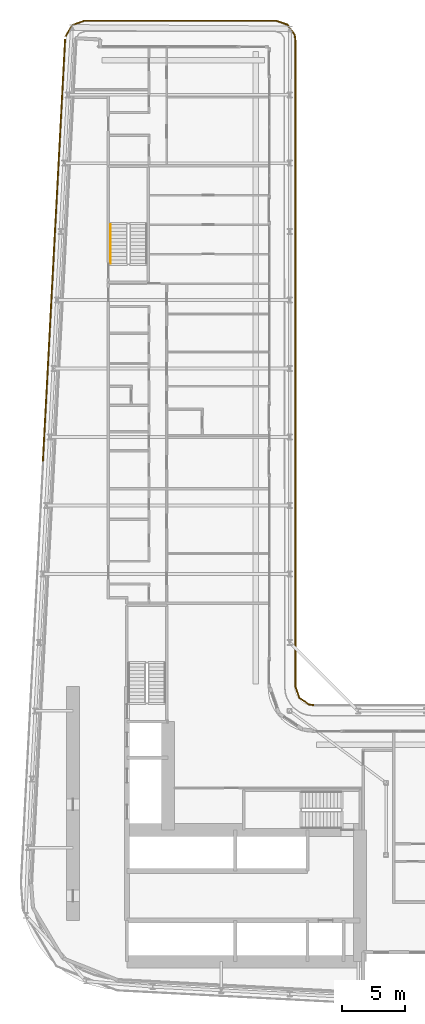
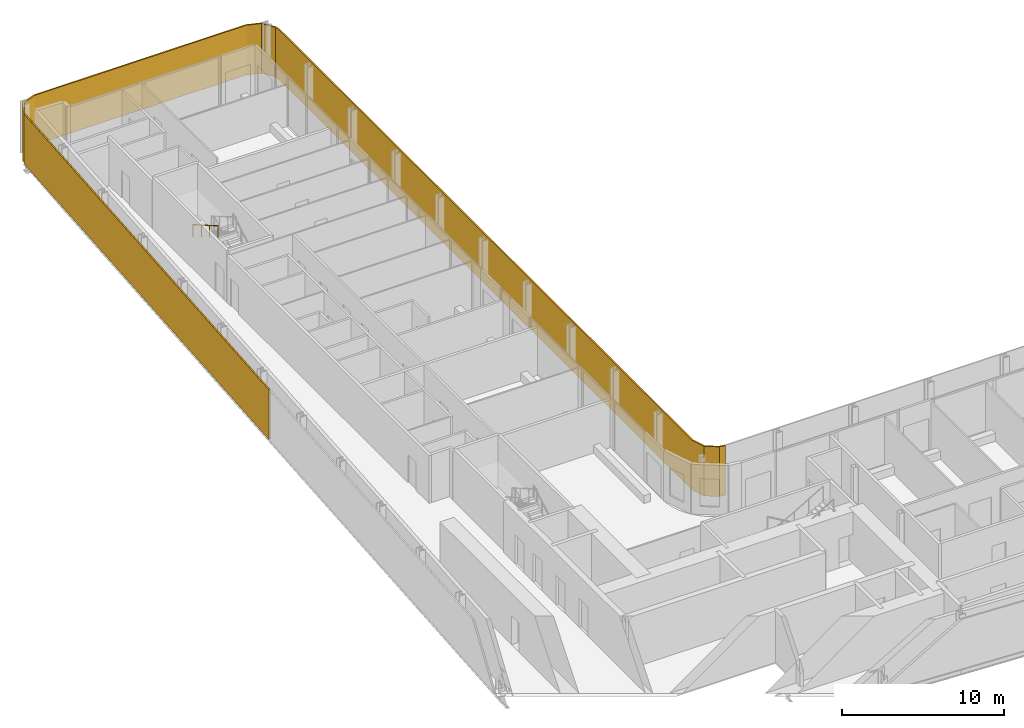
# One storey, part 25 of 27: 2 shading devices, 1 railing.
"""IFC4 building model written with IfcOpenShell, lengths in metres."""

import ifcopenshell
import ifcopenshell.guid

model = None  # the IFC model being written
_history = None  # IfcOwnerHistory: only IFC2X3 demands one
_inside = {}  # id of a spatial element -> (the spatial element, [elements in it])
_under = {}  # id of a project, library or spatial element -> (it, [spatial elements below it])
_declared = {}  # id of a project -> (the project, [libraries it declares])
_typed = {}  # id of a type object -> (the type object, [elements of that type])
_made_of = {}  # id of a material, layer set ... -> (it, [elements and type objects made of it])


def new_model(schema):
    """Start an empty IFC model of exactly this schema.

    Asked for "IFC4X3", IfcOpenShell would pick the latest addendum, in which some entities
    have other attributes; the version numbers below select the first issue.
    IFC2X3 requires an IfcOwnerHistory on every rooted entity: one is made here for all.
    """
    global model, _history
    if schema == "IFC4X3":
        model = ifcopenshell.file(schema_version=(4, 3, 0, 0))
    else:
        model = ifcopenshell.file(schema=schema)
    _inside.clear()
    _under.clear()
    _declared.clear()
    _typed.clear()
    _made_of.clear()
    _history = None
    if model.schema == "IFC2X3":
        org = make("IfcOrganization", Name="unknown")
        user = make(
            "IfcPersonAndOrganization",
            ThePerson=make("IfcPerson", FamilyName="unknown"),
            TheOrganization=org,
        )
        app = make(
            "IfcApplication",
            ApplicationDeveloper=org,
            Version="unknown",
            ApplicationFullName="unknown",
            ApplicationIdentifier="unknown",
        )
        _history = make(
            "IfcOwnerHistory",
            OwningUser=user,
            OwningApplication=app,
            ChangeAction="ADDED",
            CreationDate=0,
        )
    return model


def make(cls, **values):
    """One entity of the class cls with the attributes given. An attribute that is None is left unset."""
    return model.create_entity(
        cls, **{name: value for name, value in values.items() if value is not None}
    )


def rooted(cls, **values):
    """An entity with a GlobalId (a new one), such as an element, a storey or a relation."""
    return make(cls, GlobalId=ifcopenshell.guid.new(), OwnerHistory=_history, **values)


def si_unit(unit_type, name, prefix=None):
    """IfcSIUnit, for example si_unit("LENGTHUNIT", "METRE", prefix="MILLI")."""
    return make("IfcSIUnit", UnitType=unit_type, Prefix=prefix, Name=name)


def assignment(units):
    """IfcUnitAssignment: the units of a project."""
    return None if units is None else make("IfcUnitAssignment", Units=units)


def point(xyz):
    """IfcCartesianPoint."""
    return None if xyz is None else make("IfcCartesianPoint", Coordinates=xyz)


def direction(xyz):
    """IfcDirection."""
    return None if xyz is None else make("IfcDirection", DirectionRatios=xyz)


def frame(location, z_axis=None, x_axis=None):
    """IfcAxis2Placement3D, a coordinate frame: its origin and axes. An axis left out is left unset."""
    return make(
        "IfcAxis2Placement3D",
        Location=point(location),
        Axis=direction(z_axis),
        RefDirection=direction(x_axis),
    )


def frame_2d(location, x_axis=None):
    """IfcAxis2Placement2D, a coordinate frame in the plane: its origin and x axis."""
    return make(
        "IfcAxis2Placement2D", Location=point(location), RefDirection=direction(x_axis)
    )


def origin():
    """The frame at (0, 0, 0) with its axes left unset."""
    return frame((0.0, 0.0, 0.0))


def origin_2d():
    """The frame at (0, 0) in the plane with its x axis left unset."""
    return frame_2d((0.0, 0.0))


def place(relative_to, where):
    """IfcLocalPlacement: puts the frame where relative to a parent placement (None: the world)."""
    return make(
        "IfcLocalPlacement", PlacementRelTo=relative_to, RelativePlacement=where
    )


def context(
    kind, dimensions, precision=None, world=None, true_north=None, identifier=None
):
    """IfcGeometricRepresentationContext, for example the 3D "Model" context."""
    return make(
        "IfcGeometricRepresentationContext",
        ContextIdentifier=identifier,
        ContextType=kind,
        CoordinateSpaceDimension=dimensions,
        Precision=precision,
        WorldCoordinateSystem=world,
        TrueNorth=true_north,
    )


def subcontext(parent, identifier, kind, view, scale=None):
    """IfcGeometricRepresentationSubContext, for example "Body" below "Model"."""
    return make(
        "IfcGeometricRepresentationSubContext",
        ContextIdentifier=identifier,
        ContextType=kind,
        ParentContext=parent,
        TargetScale=scale,
        TargetView=view,
    )


def project(units=None, contexts=None):
    """IfcProject with its units and contexts."""
    return rooted(
        "IfcProject",
        Name="project",
        RepresentationContexts=contexts,
        UnitsInContext=assignment(units),
    )


def spatial(cls, under=None, at=None, **own):
    """A site, building, storey or space (cls), placed at a placement, below another one or the project."""
    s = rooted(cls, ObjectPlacement=at, **own)
    if under is not None:
        _under.setdefault(under.id(), (under, []))[1].append(s)
    return s


def polyline(points):
    """IfcPolyline through the points."""
    return make("IfcPolyline", Points=[point(p) for p in points])


def profile(cls, at=None, kind="AREA", **sizes):
    """A parametric profile (cls). Its sizes go by their IFC names, for example OverallWidth=200.0."""
    return make(cls, ProfileType=kind, Position=at, **sizes)


def rectangle(**sizes):
    """IfcRectangleProfileDef."""
    return profile("IfcRectangleProfileDef", **sizes)


def circle(**sizes):
    """IfcCircleProfileDef."""
    return profile("IfcCircleProfileDef", **sizes)


def outline(outer, holes=None, kind="AREA"):
    """IfcArbitraryClosedProfileDef: a profile drawn as a closed curve; with holes, ...WithVoids."""
    if holes is None:
        return make("IfcArbitraryClosedProfileDef", ProfileType=kind, OuterCurve=outer)
    return make(
        "IfcArbitraryProfileDefWithVoids",
        ProfileType=kind,
        OuterCurve=outer,
        InnerCurves=holes,
    )


def extrude(swept, where, along, depth):
    """IfcExtrudedAreaSolid: the profile swept, set in the frame where, extruded along a direction by depth."""
    return make(
        "IfcExtrudedAreaSolid",
        SweptArea=swept,
        Position=where,
        ExtrudedDirection=direction(along),
        Depth=depth,
    )


def shape(context_of_items, identifier, shape_type, items):
    """IfcShapeRepresentation: the items that make up one representation, for example the "Body"."""
    return make(
        "IfcShapeRepresentation",
        ContextOfItems=context_of_items,
        RepresentationIdentifier=identifier,
        RepresentationType=shape_type,
        Items=items,
    )


def material(Name=None, Category=None):
    """IfcMaterial."""
    return make("IfcMaterial", Name=Name, Category=Category)


def layer(
    of_material, thickness, ventilated=None, Name=None, Category=None, Priority=None
):
    """IfcMaterialLayer: one layer of a wall or slab, of a material (None: an air gap)."""
    return make(
        "IfcMaterialLayer",
        Material=of_material,
        LayerThickness=thickness,
        IsVentilated=ventilated,
        Name=Name,
        Category=Category,
        Priority=Priority,
    )


def layer_set(layers, Name=None):
    """IfcMaterialLayerSet."""
    return make("IfcMaterialLayerSet", MaterialLayers=layers, LayerSetName=Name)


def made_of(thing, what):
    """Note that an element or type object is made of a material, layer set ...; save() writes the relation."""
    if what is not None:
        _made_of.setdefault(what.id(), (what, []))[1].append(thing)
    return thing


def type_object(cls, material=None, **own):
    """A type object (cls), such as IfcWallType, which elements share."""
    return made_of(rooted(cls, **own), material)


def element(
    cls,
    number,
    at=None,
    inside=None,
    cuts=None,
    type_object=None,
    material=None,
    context=None,
    identifier="Body",
    shape_type=None,
    held_by="IfcProductDefinitionShape",
    body=None,
    shapes=None,
    **own,
):
    """One element of the class cls, such as IfcWall. Its Tag is "e" and its number.

    at: its placement. inside: the storey or other place that contains it. cuts: it is an
    opening in that element (IfcRelVoidsElement). A single representation is given by context,
    identifier, shape_type and body (its items); several are given by shapes. held_by: the class
    of the entity that holds the representations. save() writes the other relations.
    """
    e = rooted(cls, Tag="e%d" % number, ObjectPlacement=at, **own)
    if body is not None:
        shapes = [shape(context, identifier, shape_type, body)]
    if shapes is not None:
        e.Representation = make(held_by, Representations=shapes)
    if inside is not None:
        _inside.setdefault(inside.id(), (inside, []))[1].append(e)
    if cuts is not None:
        rooted(
            "IfcRelVoidsElement", RelatingBuildingElement=cuts, RelatedOpeningElement=e
        )
    if type_object is not None:
        _typed.setdefault(type_object.id(), (type_object, []))[1].append(e)
    return made_of(e, material)


def aggregate(whole, parts):
    """IfcRelAggregates: a whole, such as a stair, and the parts it consists of."""
    return rooted("IfcRelAggregates", RelatingObject=whole, RelatedObjects=parts)


def save(model, path):
    """Write the relations noted so far, then the file.

    IfcRelAggregates (storeys below a building ...), IfcRelContainedInSpatialStructure (elements
    in a storey), IfcRelDefinesByType, IfcRelAssociatesMaterial and IfcRelDeclares: one each for
    every whole, place, type object, material and project.
    """
    for whole, parts in _under.values():
        aggregate(whole, parts)
    for where, things in _inside.values():
        rooted(
            "IfcRelContainedInSpatialStructure",
            RelatedElements=things,
            RelatingStructure=where,
        )
    for kind, things in _typed.values():
        rooted("IfcRelDefinesByType", RelatedObjects=things, RelatingType=kind)
    for what, things in _made_of.values():
        rooted("IfcRelAssociatesMaterial", RelatedObjects=things, RelatingMaterial=what)
    for by, libraries in _declared.values():
        rooted("IfcRelDeclares", RelatingContext=by, RelatedDefinitions=libraries)
    model.write(path)


model = new_model("IFC4")

# Units and contexts
model_context = context("Model", 3, precision=1e-05, world=origin(), true_north=direction((0.0, 1.0)))
body_context = subcontext(model_context, "Body", "Model", "MODEL_VIEW")
ifc_project = project(units=[si_unit("LENGTHUNIT", "METRE"), si_unit("AREAUNIT", "SQUARE_METRE"), si_unit("VOLUMEUNIT", "CUBIC_METRE"), si_unit("PLANEANGLEUNIT", "RADIAN"), si_unit("MASSUNIT", "GRAM", prefix="KILO")], contexts=[model_context])

# Site, building, storey
site_placement = place(None, origin())
site = spatial("IfcSite", under=ifc_project, at=site_placement, CompositionType="ELEMENT")
building_placement = place(site_placement, origin())
building = spatial("IfcBuilding", under=site, at=building_placement, Name="Kheshtan School and Residences Tower", CompositionType="ELEMENT")
storey_placement = place(building_placement, frame((0.0, 0.0, 46.10009765625)))
storey = spatial("IfcBuildingStorey", under=building, at=storey_placement, Name="L10", CompositionType="ELEMENT", Elevation=46.10009765625)

# Shading devices
ifc_material_1 = material(Name="Terracotta baguette, extruded ceramic", Category="masonry")
ifc_layer_1 = layer(ifc_material_1, 0.10009765625)
ifc_layer_set_1 = layer_set([ifc_layer_1], Name="Ledge screen, terracotta baguettes")
shading_device_type_1 = type_object("IfcShadingDeviceType", Name="Ledge screen, terracotta baguettes", PredefinedType="USERDEFINED", material=ifc_layer_set_1)
shading_device_1_placement = place(storey_placement, frame((28.9990234375, 81.93408203125, 0.0), z_axis=(0.0, 0.0, 1.0), x_axis=(0.052562536748, 0.998617634398, 0.0)))
element("IfcShadingDevice", 1, at=shading_device_1_placement, inside=storey, type_object=shading_device_type_1, Name="Screen L10 5", ObjectType="BAGUETTE", PredefinedType="USERDEFINED", context=body_context, shape_type="SweptSolid", body=[
    extrude(rectangle(XDim=33.341064453125, YDim=0.10009765625, at=origin_2d()), origin(), (0.0, 0.0, 1.0), 3.75),
])
ifc_material_2 = material(Name="Terracotta lattice, extruded ceramic", Category="masonry")
ifc_layer_2 = layer(ifc_material_2, 0.10009765625)
ifc_layer_set_2 = layer_set([ifc_layer_2], Name="Loggia screen, terracotta lattice")
shading_device_type_2 = type_object("IfcShadingDeviceType", Name="Loggia screen, terracotta lattice", PredefinedType="USERDEFINED", material=ifc_layer_set_2)
shading_device_2_placement = place(storey_placement, origin())
element("IfcShadingDevice", 2, at=shading_device_2_placement, inside=storey, type_object=shading_device_type_2, Name="Screen L10 1", ObjectType="SCREEN", PredefinedType="USERDEFINED", context=body_context, shape_type="SweptSolid", body=[
    extrude(outline(polyline([(29.949951171875, 98.783935546875), (30.468017578125, 99.656982421875), (31.423095703125, 100.0), (46.5, 100.0), (47.4130859375, 99.68994140625), (47.948974609375, 98.887939453125), (48.0, 98.5), (48.0, 47.5), (48.31005859375, 46.5869140625), (49.112060546875, 46.051025390625), (49.5, 46.0), (49.512939453125, 46.09912109375), (49.14794921875, 46.14697265625), (48.39404296875, 46.65087890625), (48.10009765625, 47.51708984375), (48.10009765625, 98.507080078125), (48.044921875, 98.924072265625), (47.47705078125, 99.77392578125), (46.51708984375, 100.10009765625), (31.406005859375, 100.10009765625), (30.39990234375, 99.739013671875), (29.864013671875, 98.8349609375), (29.949951171875, 98.783935546875)])), origin(), (0.0, 0.0, 1.0), 3.75),
])

# Railing
ifc_material_3 = material(Name="Stainless steel handrail", Category="steel")
railing_type = type_object("IfcRailingType", Name="Stair handrail 900", PredefinedType="HANDRAIL", material=ifc_material_3)
railing_placement = place(storey_placement, frame((33.449951171875, 83.97998046875, 2.1123046875)))
element("IfcRailing", 3, at=railing_placement, inside=storey, type_object=railing_type, Name="L10 ST3 stair handrail 2", PredefinedType="HANDRAIL", context=body_context, shape_type="SweptSolid", body=[
    extrude(circle(Radius=0.02392578125, at=origin_2d()), frame((0.0, 0.0, 0.8759765625), z_axis=(0.0, -0.864890721111, 0.501960198159), x_axis=(1.0, 0.0, 0.0)), (0.0, 0.0, 1.0), 3.561279296875),
    extrude(circle(Radius=0.02099609375, at=origin_2d()), origin(), (0.0, 0.0, 1.0), 0.851806640625),
    extrude(circle(Radius=0.02099609375, at=origin_2d()), frame((0.0, -1.026611328125, 0.595947265625)), (0.0, 0.0, 1.0), 0.851806640625),
    extrude(circle(Radius=0.02099609375, at=origin_2d()), frame((0.0, -2.053466796875, 1.191650390625)), (0.0, 0.0, 1.0), 0.851806640625),
    extrude(circle(Radius=0.02099609375, at=origin_2d()), frame((0.0, -3.080078125, 1.78759765625)), (0.0, 0.0, 1.0), 0.851806640625),
])

save(model, "model.ifc")
